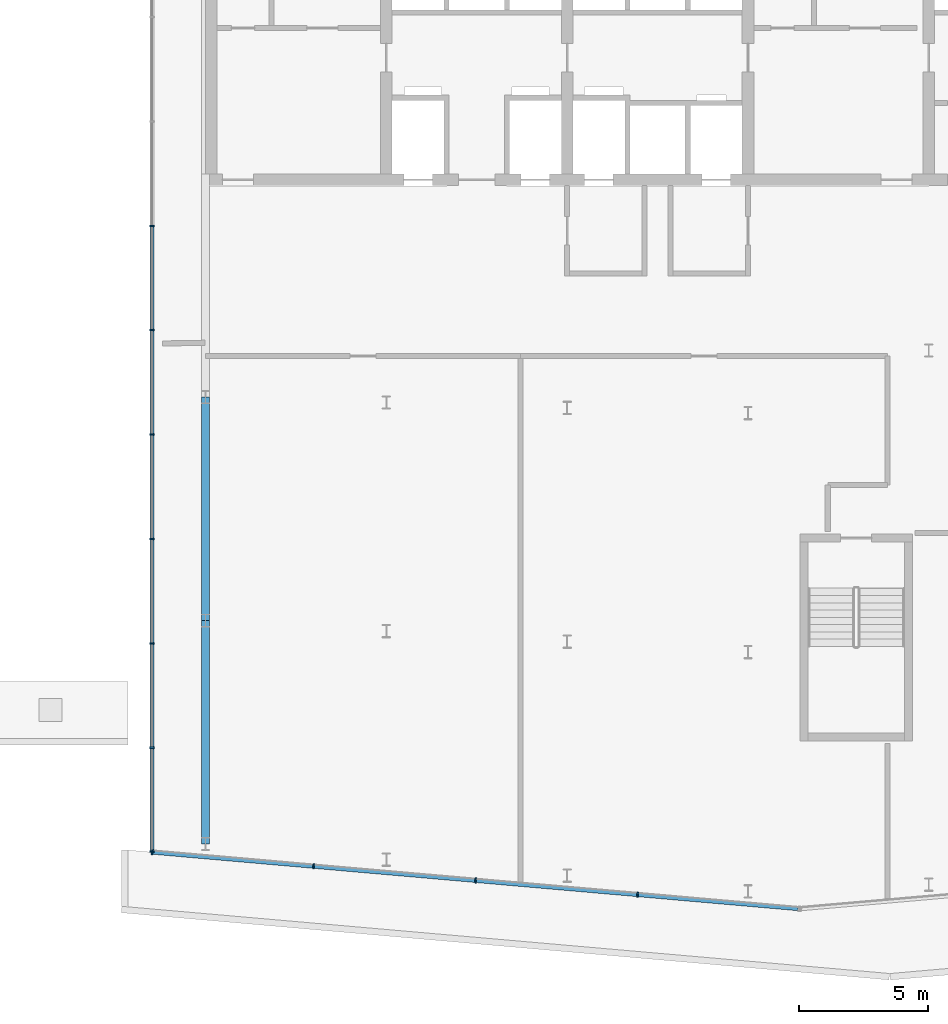
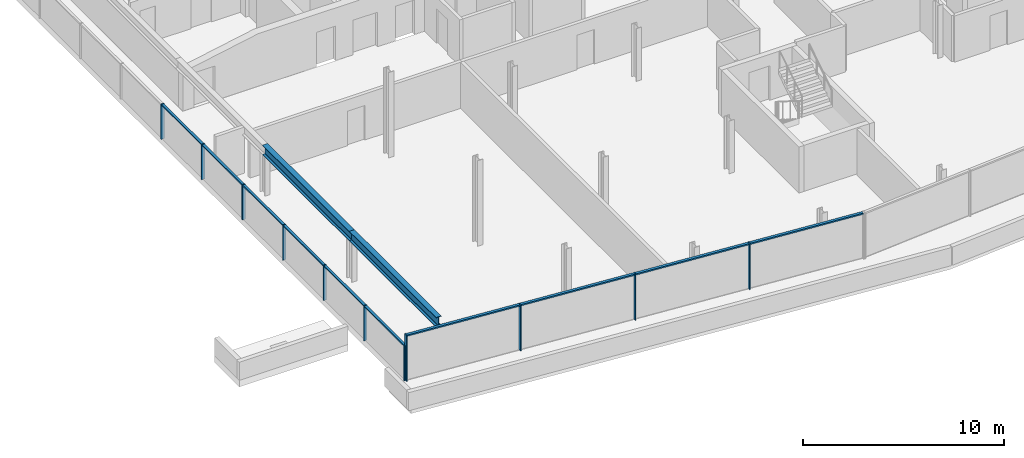
# One storey, part 3 of 17: 21 members, 2 beams, 2 elements without a shape of their own.
"""IFC4 building model written with IfcOpenShell, lengths in metres."""

from ifc_helpers import new_model, si_unit, direction, frame, origin, origin_2d, place, context, subcontext, project, spatial, rectangle, i_section, extrude, material, material_profile, profile_set, type_object, element, aggregate, save


model = new_model("IFC4")

# Units and contexts
model_context = context("Model", 3, precision=1e-05, world=origin(), true_north=direction((0.0, 1.0)))
body_context = subcontext(model_context, "Body", "Model", "MODEL_VIEW")
ifc_project = project(units=[si_unit("LENGTHUNIT", "METRE"), si_unit("AREAUNIT", "SQUARE_METRE"), si_unit("VOLUMEUNIT", "CUBIC_METRE"), si_unit("PLANEANGLEUNIT", "RADIAN"), si_unit("MASSUNIT", "GRAM", prefix="KILO")], contexts=[model_context])

# Site, building, storey
site_placement = place(None, origin())
site = spatial("IfcSite", under=ifc_project, at=site_placement, CompositionType="ELEMENT")
building_placement = place(site_placement, origin())
building = spatial("IfcBuilding", under=site, at=building_placement, Name="Wharfspan Tower", CompositionType="ELEMENT")
storey_placement = place(building_placement, frame((0.0, 0.0, 261.100098)))
storey = spatial("IfcBuildingStorey", under=building, at=storey_placement, Name="L66", CompositionType="ELEMENT", Elevation=261.100098)

# Curtain wall, members
ifc_material_1 = material(Name="Aluminium 6063-T6", Category="aluminium")
curtain_wall_type_1 = type_object("IfcCurtainWallType", Name="CURTAIN WALL CROWN GABLE", PredefinedType="NOTDEFINED", material=ifc_material_1)
curtain_wall_1_placement = place(storey_placement, origin())
curtain_wall_1 = element("IfcCurtainWall", 1, at=curtain_wall_1_placement, inside=storey, type_object=curtain_wall_type_1, Name="Crown gable glazing", PredefinedType="NOTDEFINED")
ifc_material_profile_1 = material_profile(ifc_material_1, rectangle(XDim=0.179932, YDim=0.060059, at=origin_2d()))
ifc_profile_set_1 = profile_set([ifc_material_profile_1], Name="Aluminium 6063-T6")
member_type_1 = type_object("IfcMemberType", Name="MULLION CROWN GABLE 60x180", PredefinedType="MULLION", material=ifc_profile_set_1)
member_1_placement = place(storey_placement, frame((20.930176, 8.223633, 0.0), z_axis=(0.0, 0.0, 1.0), x_axis=(-1.0, 0.0, 0.0)))
member_1 = element("IfcMember", 2, at=member_1_placement, type_object=member_type_1, Name="Crown gable glazing mullion 1", PredefinedType="MULLION", context=body_context, shape_type="SweptSolid", body=[
    extrude(rectangle(XDim=0.179932, YDim=0.060059, at=origin_2d()), origin(), (0.0, 0.0, 1.0), 2.124268),
])
member_2_placement = place(storey_placement, frame((20.930176, 12.234863, 0.0), z_axis=(0.0, 0.0, 1.0), x_axis=(-1.0, 0.0, 0.0)))
member_2 = element("IfcMember", 3, at=member_2_placement, type_object=member_type_1, Name="Crown gable glazing mullion 2", PredefinedType="MULLION", context=body_context, shape_type="SweptSolid", body=[
    extrude(rectangle(XDim=0.179932, YDim=0.060059, at=origin_2d()), origin(), (0.0, 0.0, 1.0), 2.124268),
])
member_3_placement = place(storey_placement, frame((20.930176, 16.276123, 0.0), z_axis=(0.0, 0.0, 1.0), x_axis=(-1.0, 0.0, 0.0)))
member_3 = element("IfcMember", 4, at=member_3_placement, type_object=member_type_1, Name="Crown gable glazing mullion 3", PredefinedType="MULLION", context=body_context, shape_type="SweptSolid", body=[
    extrude(rectangle(XDim=0.179932, YDim=0.060059, at=origin_2d()), origin(), (0.0, 0.0, 1.0), 2.124268),
])
member_4_placement = place(storey_placement, frame((20.930176, 20.317383, 0.0), z_axis=(0.0, 0.0, 1.0), x_axis=(-1.0, 0.0, 0.0)))
member_4 = element("IfcMember", 5, at=member_4_placement, type_object=member_type_1, Name="Crown gable glazing mullion 4", PredefinedType="MULLION", context=body_context, shape_type="SweptSolid", body=[
    extrude(rectangle(XDim=0.179932, YDim=0.060059, at=origin_2d()), origin(), (0.0, 0.0, 1.0), 2.124268),
])
member_5_placement = place(storey_placement, frame((20.930176, 24.358643, 0.0), z_axis=(0.0, 0.0, 1.0), x_axis=(-1.0, 0.0, 0.0)))
member_5 = element("IfcMember", 6, at=member_5_placement, type_object=member_type_1, Name="Crown gable glazing mullion 5", PredefinedType="MULLION", context=body_context, shape_type="SweptSolid", body=[
    extrude(rectangle(XDim=0.179932, YDim=0.060059, at=origin_2d()), origin(), (0.0, 0.0, 1.0), 2.124268),
])
member_6_placement = place(storey_placement, frame((20.930176, 28.399902, 0.0), z_axis=(0.0, 0.0, 1.0), x_axis=(-1.0, 0.0, 0.0)))
member_6 = element("IfcMember", 7, at=member_6_placement, type_object=member_type_1, Name="Crown gable glazing mullion 6", PredefinedType="MULLION", context=body_context, shape_type="SweptSolid", body=[
    extrude(rectangle(XDim=0.179932, YDim=0.060059, at=origin_2d()), origin(), (0.0, 0.0, 1.0), 2.124268),
])
member_7_placement = place(storey_placement, frame((20.930176, 32.441162, 0.0), z_axis=(0.0, 0.0, 1.0), x_axis=(-1.0, 0.0, 0.0)))
member_7 = element("IfcMember", 8, at=member_7_placement, type_object=member_type_1, Name="Crown gable glazing mullion 7", PredefinedType="MULLION", context=body_context, shape_type="SweptSolid", body=[
    extrude(rectangle(XDim=0.179932, YDim=0.060059, at=origin_2d()), origin(), (0.0, 0.0, 1.0), 2.124268),
])

curtain_wall_type_2 = type_object("IfcCurtainWallType", Name="CURTAIN WALL FACETED FRONT", PredefinedType="NOTDEFINED", material=ifc_material_1)
curtain_wall_2_placement = place(storey_placement, origin())
curtain_wall_2 = element("IfcCurtainWall", 9, at=curtain_wall_2_placement, inside=storey, type_object=curtain_wall_type_2, Name="Crown curtain wall S1", PredefinedType="NOTDEFINED")
ifc_material_profile_2 = material_profile(ifc_material_1, rectangle(XDim=0.199951, YDim=0.060059, at=origin_2d()))
ifc_profile_set_2 = profile_set([ifc_material_profile_2], Name="Aluminium 6063-T6")
member_type_2 = type_object("IfcMemberType", Name="MULLION FACETED FRONT 60x200", PredefinedType="MULLION", material=ifc_profile_set_2)
member_8_placement = place(storey_placement, frame((20.940186, 8.192871, 0.0), z_axis=(0.0, 0.0, 1.0), x_axis=(0.087156, 0.996198, 0.0)))
member_8 = element("IfcMember", 10, at=member_8_placement, type_object=member_type_2, Name="Crown curtain wall S1 mullion 1", PredefinedType="MULLION", context=body_context, shape_type="SweptSolid", body=[
    extrude(rectangle(XDim=0.199951, YDim=0.060059, at=origin_2d()), origin(), (0.0, 0.0, 1.0), 2.799805),
])
member_9_placement = place(storey_placement, frame((27.182617, 7.646729, 0.0), z_axis=(0.0, 0.0, 1.0), x_axis=(0.087156, 0.996198, 0.0)))
member_9 = element("IfcMember", 11, at=member_9_placement, type_object=member_type_2, Name="Crown curtain wall S1 mullion 2", PredefinedType="MULLION", context=body_context, shape_type="SweptSolid", body=[
    extrude(rectangle(XDim=0.199951, YDim=0.060059, at=origin_2d()), origin(), (0.0, 0.0, 1.0), 2.799805),
])
member_10_placement = place(storey_placement, frame((33.455078, 7.0979, 0.0), z_axis=(0.0, 0.0, 1.0), x_axis=(0.087156, 0.996198, 0.0)))
member_10 = element("IfcMember", 12, at=member_10_placement, type_object=member_type_2, Name="Crown curtain wall S1 mullion 3", PredefinedType="MULLION", context=body_context, shape_type="SweptSolid", body=[
    extrude(rectangle(XDim=0.199951, YDim=0.060059, at=origin_2d()), origin(), (0.0, 0.0, 1.0), 2.799805),
])
member_11_placement = place(storey_placement, frame((39.727539, 6.549072, 0.0), z_axis=(0.0, 0.0, 1.0), x_axis=(0.087156, 0.996198, 0.0)))
member_11 = element("IfcMember", 13, at=member_11_placement, type_object=member_type_2, Name="Crown curtain wall S1 mullion 4", PredefinedType="MULLION", context=body_context, shape_type="SweptSolid", body=[
    extrude(rectangle(XDim=0.199951, YDim=0.060059, at=origin_2d()), origin(), (0.0, 0.0, 1.0), 2.799805),
])

# Beams
ifc_material_2 = material(Name="Steel S355J2", Category="steel")
ifc_material_profile_3 = material_profile(ifc_material_2, i_section(OverallWidth=0.300049, OverallDepth=0.600098, WebThickness=0.015381, FlangeThickness=0.030029, FilletRadius=0.0271, at=origin_2d()))
ifc_profile_set_3 = profile_set([ifc_material_profile_3], Name="Steel S355J2")
beam_type = type_object("IfcBeamType", Name="Roof girder HEB 600", PredefinedType="BEAM", material=ifc_profile_set_3)
for number, where, z_axis, x_axis, name in (
    (14, (23.0, 8.512695, 2.665527), (0.0, 1.0, 0.0), (-1.0, 0.0, 0.0), "Roof girder G1 9 to 17"),
    (15, (23.0, 17.158447, 2.665527), (0.0, 1.0, 0.0), (-1.0, 0.0, 0.0), "Roof girder G1 17 to 26"),
):
    element("IfcBeam", number, at=place(storey_placement, frame(where, z_axis=z_axis, x_axis=x_axis)), inside=storey, type_object=beam_type, Name=name, PredefinedType="BEAM", context=body_context, shape_type="SweptSolid", body=[
        extrude(i_section(OverallWidth=0.300049, OverallDepth=0.600098, WebThickness=0.015381, FlangeThickness=0.030029, FilletRadius=0.0271, at=origin_2d()), origin(), (0.0, 0.0, 1.0), 8.645752),
    ])

# Member
ifc_material_profile_4 = material_profile(ifc_material_1, rectangle(XDim=0.139893, YDim=0.070068, at=origin_2d()))
ifc_profile_set_4 = profile_set([ifc_material_profile_4], Name="Aluminium 6063-T6")
member_type_3 = type_object("IfcMemberType", Name="TRANSOM CROWN GABLE 70x140", PredefinedType="USERDEFINED", material=ifc_profile_set_4)
member_12_placement = place(storey_placement, frame((20.930176, 8.253662, 2.089355), z_axis=(0.0, 1.0, 0.0), x_axis=(-1.0, 0.0, 0.0)))
member_12 = element("IfcMember", 16, at=member_12_placement, type_object=member_type_3, Name="Crown gable glazing transom 1", ObjectType="TRANSOM", PredefinedType="USERDEFINED", context=body_context, shape_type="SweptSolid", body=[
    extrude(rectangle(XDim=0.139893, YDim=0.070068, at=origin_2d()), origin(), (0.0, 0.0, 1.0), 3.951172),
])

member_13_placement = place(storey_placement, frame((20.930176, 12.264893, 2.089355), z_axis=(0.0, 1.0, 0.0), x_axis=(-1.0, 0.0, 0.0)))
member_13 = element("IfcMember", 17, at=member_13_placement, type_object=member_type_3, Name="Crown gable glazing transom 2", ObjectType="TRANSOM", PredefinedType="USERDEFINED", context=body_context, shape_type="SweptSolid", body=[
    extrude(rectangle(XDim=0.139893, YDim=0.070068, at=origin_2d()), origin(), (0.0, 0.0, 1.0), 3.981201),
])

member_14_placement = place(storey_placement, frame((20.930176, 16.306152, 2.089355), z_axis=(0.0, 1.0, 0.0), x_axis=(-1.0, 0.0, 0.0)))
member_14 = element("IfcMember", 18, at=member_14_placement, type_object=member_type_3, Name="Crown gable glazing transom 3", ObjectType="TRANSOM", PredefinedType="USERDEFINED", context=body_context, shape_type="SweptSolid", body=[
    extrude(rectangle(XDim=0.139893, YDim=0.070068, at=origin_2d()), origin(), (0.0, 0.0, 1.0), 3.981201),
])

member_15_placement = place(storey_placement, frame((20.930176, 20.347412, 2.089355), z_axis=(0.0, 1.0, 0.0), x_axis=(-1.0, 0.0, 0.0)))
member_15 = element("IfcMember", 19, at=member_15_placement, type_object=member_type_3, Name="Crown gable glazing transom 4", ObjectType="TRANSOM", PredefinedType="USERDEFINED", context=body_context, shape_type="SweptSolid", body=[
    extrude(rectangle(XDim=0.139893, YDim=0.070068, at=origin_2d()), origin(), (0.0, 0.0, 1.0), 3.981445),
])

member_16_placement = place(storey_placement, frame((20.930176, 24.388672, 2.089355), z_axis=(0.0, 1.0, 0.0), x_axis=(-1.0, 0.0, 0.0)))
member_16 = element("IfcMember", 20, at=member_16_placement, type_object=member_type_3, Name="Crown gable glazing transom 5", ObjectType="TRANSOM", PredefinedType="USERDEFINED", context=body_context, shape_type="SweptSolid", body=[
    extrude(rectangle(XDim=0.139893, YDim=0.070068, at=origin_2d()), origin(), (0.0, 0.0, 1.0), 3.981445),
])

member_17_placement = place(storey_placement, frame((20.930176, 28.429932, 2.089355), z_axis=(0.0, 1.0, 0.0), x_axis=(-1.0, 0.0, 0.0)))
member_17 = element("IfcMember", 21, at=member_17_placement, type_object=member_type_3, Name="Crown gable glazing transom 6", ObjectType="TRANSOM", PredefinedType="USERDEFINED", context=body_context, shape_type="SweptSolid", body=[
    extrude(rectangle(XDim=0.139893, YDim=0.070068, at=origin_2d()), origin(), (0.0, 0.0, 1.0), 3.981445),
])

aggregate(curtain_wall_1, [member_1, member_2, member_3, member_4, member_5, member_6, member_7, member_12, member_13, member_14, member_15, member_16, member_17])

ifc_material_profile_5 = material_profile(ifc_material_1, rectangle(XDim=0.159912, YDim=0.080078, at=origin_2d()))
ifc_profile_set_5 = profile_set([ifc_material_profile_5], Name="Aluminium 6063-T6")
member_type_4 = type_object("IfcMemberType", Name="TRANSOM FACETED FRONT 80x160", PredefinedType="USERDEFINED", material=ifc_profile_set_5)
member_18_placement = place(storey_placement, frame((20.969971, 8.190186, 2.76001), z_axis=(0.996194, -0.087169, 0.0), x_axis=(0.087169, 0.996194, 0.0)))
member_18 = element("IfcMember", 22, at=member_18_placement, type_object=member_type_4, Name="Crown curtain wall S1 transom 1", ObjectType="TRANSOM", PredefinedType="USERDEFINED", context=body_context, shape_type="SweptSolid", body=[
    extrude(rectangle(XDim=0.159912, YDim=0.080078, at=origin_2d()), origin(), (0.0, 0.0, 1.0), 6.206543),
])

member_19_placement = place(storey_placement, frame((27.212646, 7.644043, 2.76001), z_axis=(0.996196, -0.087143, 0.0), x_axis=(0.087143, 0.996196, 0.0)))
member_19 = element("IfcMember", 23, at=member_19_placement, type_object=member_type_4, Name="Crown curtain wall S1 transom 2", ObjectType="TRANSOM", PredefinedType="USERDEFINED", context=body_context, shape_type="SweptSolid", body=[
    extrude(rectangle(XDim=0.159912, YDim=0.080078, at=origin_2d()), origin(), (0.0, 0.0, 1.0), 6.236328),
])

member_20_placement = place(storey_placement, frame((33.485107, 7.095215, 2.76001), z_axis=(0.996196, -0.087143, 0.0), x_axis=(0.087143, 0.996196, 0.0)))
member_20 = element("IfcMember", 24, at=member_20_placement, type_object=member_type_4, Name="Crown curtain wall S1 transom 3", ObjectType="TRANSOM", PredefinedType="USERDEFINED", context=body_context, shape_type="SweptSolid", body=[
    extrude(rectangle(XDim=0.159912, YDim=0.080078, at=origin_2d()), origin(), (0.0, 0.0, 1.0), 6.236328),
])

member_21_placement = place(storey_placement, frame((39.757568, 6.546631, 2.76001), z_axis=(0.996193, -0.087173, 0.0), x_axis=(0.087173, 0.996193, 0.0)))
member_21 = element("IfcMember", 25, at=member_21_placement, type_object=member_type_4, Name="Crown curtain wall S1 transom 4", ObjectType="TRANSOM", PredefinedType="USERDEFINED", context=body_context, shape_type="SweptSolid", body=[
    extrude(rectangle(XDim=0.159912, YDim=0.080078, at=origin_2d()), origin(), (0.0, 0.0, 1.0), 6.206299),
])

aggregate(curtain_wall_2, [member_8, member_9, member_10, member_11, member_18, member_19, member_20, member_21])

save(model, "model.ifc")
